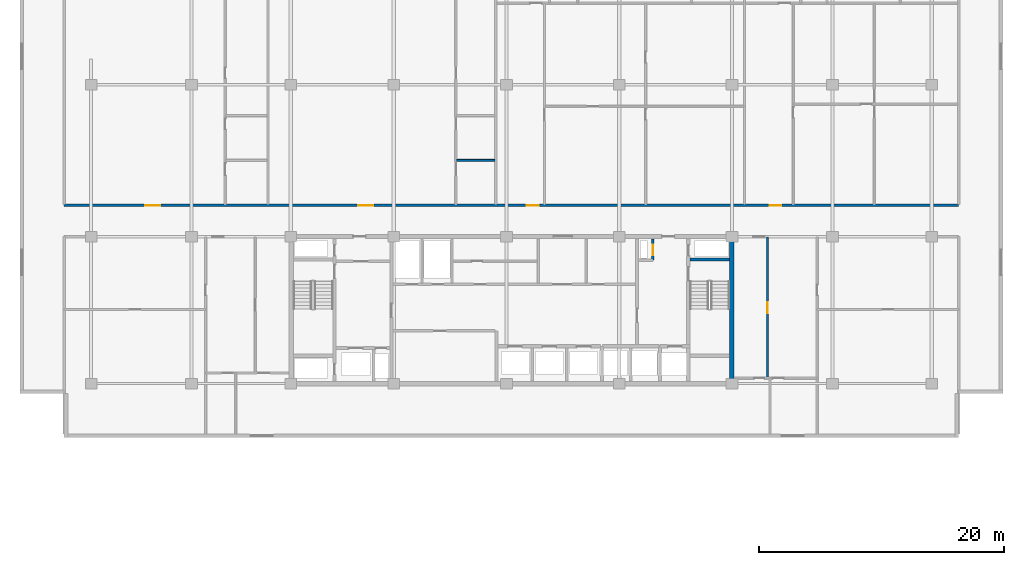
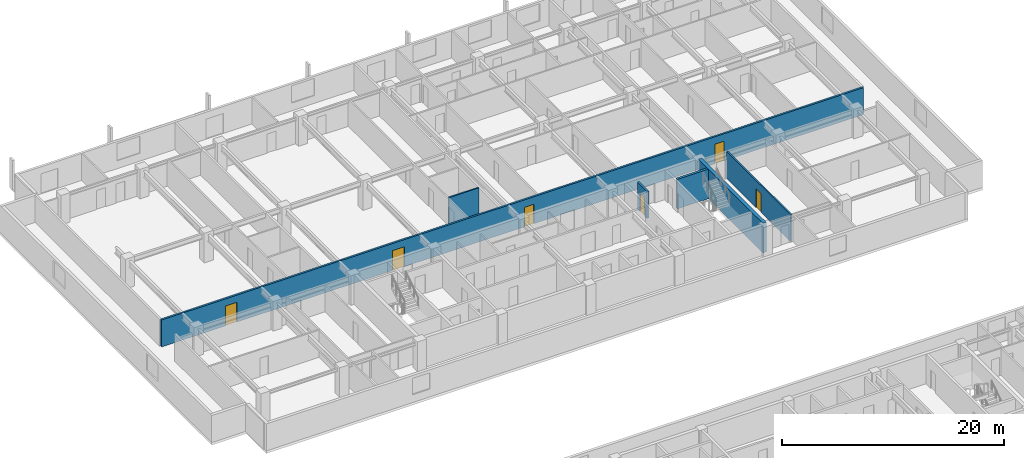
# One storey, part 13 of 22: 6 doors, 6 walls, 6 openings.
"""IFC4 building model written with IfcOpenShell, lengths in metres."""

import ifcopenshell
import ifcopenshell.guid

model = None  # the IFC model being written
_history = None  # IfcOwnerHistory: only IFC2X3 demands one
_inside = {}  # id of a spatial element -> (the spatial element, [elements in it])
_under = {}  # id of a project, library or spatial element -> (it, [spatial elements below it])
_declared = {}  # id of a project -> (the project, [libraries it declares])
_typed = {}  # id of a type object -> (the type object, [elements of that type])
_made_of = {}  # id of a material, layer set ... -> (it, [elements and type objects made of it])


def new_model(schema):
    """Start an empty IFC model of exactly this schema.

    Asked for "IFC4X3", IfcOpenShell would pick the latest addendum, in which some entities
    have other attributes; the version numbers below select the first issue.
    IFC2X3 requires an IfcOwnerHistory on every rooted entity: one is made here for all.
    """
    global model, _history
    if schema == "IFC4X3":
        model = ifcopenshell.file(schema_version=(4, 3, 0, 0))
    else:
        model = ifcopenshell.file(schema=schema)
    _inside.clear()
    _under.clear()
    _declared.clear()
    _typed.clear()
    _made_of.clear()
    _history = None
    if model.schema == "IFC2X3":
        org = make("IfcOrganization", Name="unknown")
        user = make(
            "IfcPersonAndOrganization",
            ThePerson=make("IfcPerson", FamilyName="unknown"),
            TheOrganization=org,
        )
        app = make(
            "IfcApplication",
            ApplicationDeveloper=org,
            Version="unknown",
            ApplicationFullName="unknown",
            ApplicationIdentifier="unknown",
        )
        _history = make(
            "IfcOwnerHistory",
            OwningUser=user,
            OwningApplication=app,
            ChangeAction="ADDED",
            CreationDate=0,
        )
    return model


def make(cls, **values):
    """One entity of the class cls with the attributes given. An attribute that is None is left unset."""
    return model.create_entity(
        cls, **{name: value for name, value in values.items() if value is not None}
    )


def rooted(cls, **values):
    """An entity with a GlobalId (a new one), such as an element, a storey or a relation."""
    return make(cls, GlobalId=ifcopenshell.guid.new(), OwnerHistory=_history, **values)


def si_unit(unit_type, name, prefix=None):
    """IfcSIUnit, for example si_unit("LENGTHUNIT", "METRE", prefix="MILLI")."""
    return make("IfcSIUnit", UnitType=unit_type, Prefix=prefix, Name=name)


def assignment(units):
    """IfcUnitAssignment: the units of a project."""
    return None if units is None else make("IfcUnitAssignment", Units=units)


def point(xyz):
    """IfcCartesianPoint."""
    return None if xyz is None else make("IfcCartesianPoint", Coordinates=xyz)


def direction(xyz):
    """IfcDirection."""
    return None if xyz is None else make("IfcDirection", DirectionRatios=xyz)


def frame(location, z_axis=None, x_axis=None):
    """IfcAxis2Placement3D, a coordinate frame: its origin and axes. An axis left out is left unset."""
    return make(
        "IfcAxis2Placement3D",
        Location=point(location),
        Axis=direction(z_axis),
        RefDirection=direction(x_axis),
    )


def frame_2d(location, x_axis=None):
    """IfcAxis2Placement2D, a coordinate frame in the plane: its origin and x axis."""
    return make(
        "IfcAxis2Placement2D", Location=point(location), RefDirection=direction(x_axis)
    )


def origin():
    """The frame at (0, 0, 0) with its axes left unset."""
    return frame((0.0, 0.0, 0.0))


def place(relative_to, where):
    """IfcLocalPlacement: puts the frame where relative to a parent placement (None: the world)."""
    return make(
        "IfcLocalPlacement", PlacementRelTo=relative_to, RelativePlacement=where
    )


def context(
    kind, dimensions, precision=None, world=None, true_north=None, identifier=None
):
    """IfcGeometricRepresentationContext, for example the 3D "Model" context."""
    return make(
        "IfcGeometricRepresentationContext",
        ContextIdentifier=identifier,
        ContextType=kind,
        CoordinateSpaceDimension=dimensions,
        Precision=precision,
        WorldCoordinateSystem=world,
        TrueNorth=true_north,
    )


def subcontext(parent, identifier, kind, view, scale=None):
    """IfcGeometricRepresentationSubContext, for example "Body" below "Model"."""
    return make(
        "IfcGeometricRepresentationSubContext",
        ContextIdentifier=identifier,
        ContextType=kind,
        ParentContext=parent,
        TargetScale=scale,
        TargetView=view,
    )


def project(units=None, contexts=None):
    """IfcProject with its units and contexts."""
    return rooted(
        "IfcProject",
        Name="project",
        RepresentationContexts=contexts,
        UnitsInContext=assignment(units),
    )


def spatial(cls, under=None, at=None, **own):
    """A site, building, storey or space (cls), placed at a placement, below another one or the project."""
    s = rooted(cls, ObjectPlacement=at, **own)
    if under is not None:
        _under.setdefault(under.id(), (under, []))[1].append(s)
    return s


def profile(cls, at=None, kind="AREA", **sizes):
    """A parametric profile (cls). Its sizes go by their IFC names, for example OverallWidth=200.0."""
    return make(cls, ProfileType=kind, Position=at, **sizes)


def rectangle(**sizes):
    """IfcRectangleProfileDef."""
    return profile("IfcRectangleProfileDef", **sizes)


def extrude(swept, where, along, depth):
    """IfcExtrudedAreaSolid: the profile swept, set in the frame where, extruded along a direction by depth."""
    return make(
        "IfcExtrudedAreaSolid",
        SweptArea=swept,
        Position=where,
        ExtrudedDirection=direction(along),
        Depth=depth,
    )


def shape(context_of_items, identifier, shape_type, items):
    """IfcShapeRepresentation: the items that make up one representation, for example the "Body"."""
    return make(
        "IfcShapeRepresentation",
        ContextOfItems=context_of_items,
        RepresentationIdentifier=identifier,
        RepresentationType=shape_type,
        Items=items,
    )


def material(Name=None, Category=None):
    """IfcMaterial."""
    return make("IfcMaterial", Name=Name, Category=Category)


def layer(
    of_material, thickness, ventilated=None, Name=None, Category=None, Priority=None
):
    """IfcMaterialLayer: one layer of a wall or slab, of a material (None: an air gap)."""
    return make(
        "IfcMaterialLayer",
        Material=of_material,
        LayerThickness=thickness,
        IsVentilated=ventilated,
        Name=Name,
        Category=Category,
        Priority=Priority,
    )


def layer_set(layers, Name=None):
    """IfcMaterialLayerSet."""
    return make("IfcMaterialLayerSet", MaterialLayers=layers, LayerSetName=Name)


def made_of(thing, what):
    """Note that an element or type object is made of a material, layer set ...; save() writes the relation."""
    if what is not None:
        _made_of.setdefault(what.id(), (what, []))[1].append(thing)
    return thing


def type_object(cls, material=None, **own):
    """A type object (cls), such as IfcWallType, which elements share."""
    return made_of(rooted(cls, **own), material)


def element(
    cls,
    number,
    at=None,
    inside=None,
    cuts=None,
    type_object=None,
    material=None,
    context=None,
    identifier="Body",
    shape_type=None,
    held_by="IfcProductDefinitionShape",
    body=None,
    shapes=None,
    **own,
):
    """One element of the class cls, such as IfcWall. Its Tag is "e" and its number.

    at: its placement. inside: the storey or other place that contains it. cuts: it is an
    opening in that element (IfcRelVoidsElement). A single representation is given by context,
    identifier, shape_type and body (its items); several are given by shapes. held_by: the class
    of the entity that holds the representations. save() writes the other relations.
    """
    e = rooted(cls, Tag="e%d" % number, ObjectPlacement=at, **own)
    if body is not None:
        shapes = [shape(context, identifier, shape_type, body)]
    if shapes is not None:
        e.Representation = make(held_by, Representations=shapes)
    if inside is not None:
        _inside.setdefault(inside.id(), (inside, []))[1].append(e)
    if cuts is not None:
        rooted(
            "IfcRelVoidsElement", RelatingBuildingElement=cuts, RelatedOpeningElement=e
        )
    if type_object is not None:
        _typed.setdefault(type_object.id(), (type_object, []))[1].append(e)
    return made_of(e, material)


def fill(opening, filler):
    """IfcRelFillsElement: the door or window that sits in an opening."""
    return rooted(
        "IfcRelFillsElement",
        RelatingOpeningElement=opening,
        RelatedBuildingElement=filler,
    )


def aggregate(whole, parts):
    """IfcRelAggregates: a whole, such as a stair, and the parts it consists of."""
    return rooted("IfcRelAggregates", RelatingObject=whole, RelatedObjects=parts)


def save(model, path):
    """Write the relations noted so far, then the file.

    IfcRelAggregates (storeys below a building ...), IfcRelContainedInSpatialStructure (elements
    in a storey), IfcRelDefinesByType, IfcRelAssociatesMaterial and IfcRelDeclares: one each for
    every whole, place, type object, material and project.
    """
    for whole, parts in _under.values():
        aggregate(whole, parts)
    for where, things in _inside.values():
        rooted(
            "IfcRelContainedInSpatialStructure",
            RelatedElements=things,
            RelatingStructure=where,
        )
    for kind, things in _typed.values():
        rooted("IfcRelDefinesByType", RelatedObjects=things, RelatingType=kind)
    for what, things in _made_of.values():
        rooted("IfcRelAssociatesMaterial", RelatedObjects=things, RelatingMaterial=what)
    for by, libraries in _declared.values():
        rooted("IfcRelDeclares", RelatingContext=by, RelatedDefinitions=libraries)
    model.write(path)


model = new_model("IFC4")

# Units and contexts
model_context = context("Model", 3, precision=1e-05, world=origin(), true_north=direction((0.0, 1.0)))
body_context = subcontext(model_context, "Body", "Model", "MODEL_VIEW")
ifc_project = project(units=[si_unit("LENGTHUNIT", "METRE"), si_unit("AREAUNIT", "SQUARE_METRE"), si_unit("VOLUMEUNIT", "CUBIC_METRE"), si_unit("PLANEANGLEUNIT", "RADIAN"), si_unit("MASSUNIT", "GRAM", prefix="KILO")], contexts=[model_context])

# Site, building, storey
site_placement = place(None, origin())
site = spatial("IfcSite", under=ifc_project, at=site_placement, CompositionType="ELEMENT")
building_placement = place(site_placement, origin())
building = spatial("IfcBuilding", under=site, at=building_placement, Name="Korimba Cascade Residences", CompositionType="ELEMENT")
storey_placement = place(building_placement, frame((0.0, 0.0, 132.800048828125)))
storey = spatial("IfcBuildingStorey", under=building, at=storey_placement, Name="L38", CompositionType="ELEMENT", Elevation=132.800048828125)

# Wall
ifc_material_1 = material(Name="Concrete C65/80", Category="concrete")
ifc_layer_1 = layer(ifc_material_1, 0.35009765625)
ifc_layer_set_1 = layer_set([ifc_layer_1], Name="Concrete C65/80")
wall_type_1 = type_object("IfcWallType", Name="WAL-CORE-350", PredefinedType="SHEAR", material=ifc_layer_set_1)
wall_1_placement = place(storey_placement, frame((112.074951171875, 55.375, 0.0), z_axis=(0.0, 0.0, 1.0), x_axis=(0.0, 1.0, 0.0)))
element("IfcWall", 1, at=wall_1_placement, inside=storey, type_object=wall_type_1, Name="L38 Core Shear Wall CW-L38-T1-E", PredefinedType="SHEAR", context=body_context, shape_type="SweptSolid", body=[
    extrude(rectangle(XDim=11.64990234375, YDim=0.35009765625, at=frame_2d((5.824951171875, 0.0))), origin(), (0.0, 0.0, 1.0), 3.25),
])

# Wall, openings, doors
ifc_material_2 = material(Name="Precast concrete C40/50", Category="concrete")
ifc_layer_2 = layer(ifc_material_2, 0.199951171875)
ifc_layer_set_2 = layer_set([ifc_layer_2], Name="Precast concrete C40/50")
wall_type_2 = type_object("IfcWallType", Name="WAL-IT-200", PredefinedType="PARTITIONING", material=ifc_layer_set_2)
wall_2_placement = place(storey_placement, frame((57.60009765625, 69.75, 0.0), z_axis=(0.0, 0.0, 1.0), x_axis=(1.0, 0.0, 0.0)))
wall_2 = element("IfcWall", 2, at=wall_2_placement, inside=storey, type_object=wall_type_2, Name="L38 Partition Wall WAL-L38-T1-CORN", PredefinedType="PARTITIONING", context=body_context, shape_type="SweptSolid", body=[
    extrude(rectangle(XDim=73.0, YDim=0.199951171875, at=frame_2d((36.5, 0.0))), origin(), (0.0, 0.0, 1.0), 2.969970703125),
])
opening_1_placement = place(wall_2_placement, frame((6.628662109375, 0.0, 0.0)))
opening_1 = element("IfcOpeningElement", 3, at=opening_1_placement, cuts=wall_2, Name="Opening D-AM1", PredefinedType="OPENING", context=body_context, shape_type="SweptSolid", body=[
    extrude(rectangle(XDim=1.219970703125, YDim=2.179931640625, at=frame_2d((0.60986328125, 1.08984375))), frame((0.0, 0.10986328125, 0.0), z_axis=(0.0, -1.0, 0.0), x_axis=(1.0, 0.0, 0.0)), (0.0, 0.0, 1.0), 0.219970703125),
])
opening_2_placement = place(wall_2_placement, frame((24.022216796875, 0.0, 0.0)))
opening_2 = element("IfcOpeningElement", 4, at=opening_2_placement, cuts=wall_2, Name="Opening D-AM1", PredefinedType="OPENING", context=body_context, shape_type="SweptSolid", body=[
    extrude(rectangle(XDim=1.219970703125, YDim=2.179931640625, at=frame_2d((0.60986328125, 1.08984375))), frame((0.0, 0.10986328125, 0.0), z_axis=(0.0, -1.0, 0.0), x_axis=(1.0, 0.0, 0.0)), (0.0, 0.0, 1.0), 0.219970703125),
])
opening_3_placement = place(wall_2_placement, frame((37.767578125, 0.0, 0.0)))
opening_3 = element("IfcOpeningElement", 5, at=opening_3_placement, cuts=wall_2, Name="Opening D-UN1", PredefinedType="OPENING", context=body_context, shape_type="SweptSolid", body=[
    extrude(rectangle(XDim=0.949951171875, YDim=2.14990234375, at=frame_2d((0.47509765625, 1.074951171875))), frame((0.0, 0.10986328125, 0.0), z_axis=(0.0, -1.0, 0.0), x_axis=(1.0, 0.0, 0.0)), (0.0, 0.0, 1.0), 0.219970703125),
])
opening_4_placement = place(wall_2_placement, frame((57.570068359375, 0.0, 0.0)))
opening_4 = element("IfcOpeningElement", 6, at=opening_4_placement, cuts=wall_2, Name="Opening D-UN1", PredefinedType="OPENING", context=body_context, shape_type="SweptSolid", body=[
    extrude(rectangle(XDim=0.949951171875, YDim=2.14990234375, at=frame_2d((0.47509765625, 1.074951171875))), frame((0.0, 0.10986328125, 0.0), z_axis=(0.0, -1.0, 0.0), x_axis=(1.0, 0.0, 0.0)), (0.0, 0.0, 1.0), 0.219970703125),
])
ifc_material_3 = material(Name="Fire-Rated Glazed Timber Suite Door", Category="wood")
door_type_1 = type_object("IfcDoorType", Name="DR-FD60-1200", OperationType="NOTDEFINED", PredefinedType="DOOR", material=ifc_material_3)
door_1_placement = place(opening_1_placement, origin())
door_1 = element("IfcDoor", 7, at=door_1_placement, inside=storey, type_object=door_type_1, Name="L38-T1-U01 Business Collaboration Office Door", OperationType="SINGLE_SWING_RIGHT", OverallHeight=2.179931640625, OverallWidth=1.219970703125, PredefinedType="DOOR", context=body_context, shape_type="SweptSolid", body=[
    extrude(rectangle(XDim=1.219970703125, YDim=2.179931640625, at=frame_2d((0.60986328125, 1.08984375))), frame((0.0, 0.02490234375, 0.0), z_axis=(0.0, -1.0, 0.0), x_axis=(1.0, 0.0, 0.0)), (0.0, 0.0, 1.0), 0.050048828125),
])
fill(opening_1, door_1)
door_2_placement = place(opening_2_placement, origin())
door_2 = element("IfcDoor", 8, at=door_2_placement, inside=storey, type_object=door_type_1, Name="L38-T1-U02 Resident Conference Room Door", OperationType="SINGLE_SWING_LEFT", OverallHeight=2.179931640625, OverallWidth=1.219970703125, PredefinedType="DOOR", context=body_context, shape_type="SweptSolid", body=[
    extrude(rectangle(XDim=1.219970703125, YDim=2.179931640625, at=frame_2d((0.60986328125, 1.08984375))), frame((0.0, 0.02490234375, 0.0), z_axis=(0.0, -1.0, 0.0), x_axis=(1.0, 0.0, 0.0)), (0.0, 0.0, 1.0), 0.050048828125),
])
fill(opening_2, door_2)
ifc_material_4 = material(Name="Fire-Rated Hardwood Apartment Entrance Door", Category="wood")
door_type_2 = type_object("IfcDoorType", Name="DR-FD60-950", OperationType="NOTDEFINED", PredefinedType="DOOR", material=ifc_material_4)
door_3_placement = place(opening_3_placement, origin())
door_3 = element("IfcDoor", 9, at=door_3_placement, inside=storey, type_object=door_type_2, Name="Unit L38-T1-U03 Entrance Door", OperationType="SINGLE_SWING_RIGHT", OverallHeight=2.14990234375, OverallWidth=0.949951171875, PredefinedType="DOOR", context=body_context, shape_type="SweptSolid", body=[
    extrude(rectangle(XDim=0.949951171875, YDim=2.14990234375, at=frame_2d((0.47509765625, 1.074951171875))), frame((0.0, 0.02490234375, 0.0), z_axis=(0.0, -1.0, 0.0), x_axis=(1.0, 0.0, 0.0)), (0.0, 0.0, 1.0), 0.050048828125),
])
fill(opening_3, door_3)
door_4_placement = place(opening_4_placement, origin())
door_4 = element("IfcDoor", 10, at=door_4_placement, inside=storey, type_object=door_type_2, Name="Unit L38-T1-U04 Entrance Door", OperationType="SINGLE_SWING_LEFT", OverallHeight=2.14990234375, OverallWidth=0.949951171875, PredefinedType="DOOR", context=body_context, shape_type="SweptSolid", body=[
    extrude(rectangle(XDim=0.949951171875, YDim=2.14990234375, at=frame_2d((0.47509765625, 1.074951171875))), frame((0.0, 0.02490234375, 0.0), z_axis=(0.0, -1.0, 0.0), x_axis=(1.0, 0.0, 0.0)), (0.0, 0.0, 1.0), 0.050048828125),
])
fill(opening_4, door_4)

# Wall, opening, door
ifc_material_5 = material(Name="Insulated Acoustic Stud Partition", Category="gypsum")
ifc_layer_3 = layer(ifc_material_5, 0.14990234375)
ifc_layer_set_3 = layer_set([ifc_layer_3], Name="Insulated Acoustic Stud Partition")
wall_type_3 = type_object("IfcWallType", Name="WAL-PART-150", PredefinedType="PARTITIONING", material=ifc_layer_set_3)
wall_3_placement = place(storey_placement, frame((115.0, 55.64990234375, 0.0), z_axis=(0.0, 0.0, 1.0), x_axis=(0.0, 1.0, 0.0)))
wall_3 = element("IfcWall", 11, at=wall_3_placement, inside=storey, type_object=wall_type_3, Name="L38 Partition Wall WAL-L38-T1-FE-VN", PredefinedType="PARTITIONING", context=body_context, shape_type="SweptSolid", body=[
    extrude(rectangle(XDim=11.5, YDim=0.14990234375, at=frame_2d((5.75, 0.0))), origin(), (0.0, 0.0, 1.0), 2.969970703125),
])
opening_5_placement = place(wall_3_placement, frame((5.2900390625, 0.0, 0.0)))
opening_5 = element("IfcOpeningElement", 12, at=opening_5_placement, cuts=wall_3, Name="Opening D-IN1", PredefinedType="OPENING", context=body_context, shape_type="SweptSolid", body=[
    extrude(rectangle(XDim=0.919921875, YDim=2.080078125, at=frame_2d((0.4599609375, 1.0400390625))), frame((0.0, 0.0849609375, 0.0), z_axis=(0.0, -1.0, 0.0), x_axis=(1.0, 0.0, 0.0)), (0.0, 0.0, 1.0), 0.169921875),
])
ifc_material_6 = material(Name="Acoustic Timber Living Door", Category="wood")
door_type_3 = type_object("IfcDoorType", Name="DR-INT-920", OperationType="NOTDEFINED", PredefinedType="DOOR", material=ifc_material_6)
door_5_placement = place(opening_5_placement, origin())
door_5 = element("IfcDoor", 13, at=door_5_placement, inside=storey, type_object=door_type_3, Name="L38-T1-FE Living Door", OperationType="SINGLE_SWING_RIGHT", OverallHeight=2.080078125, OverallWidth=0.919921875, PredefinedType="DOOR", context=body_context, shape_type="SweptSolid", body=[
    extrude(rectangle(XDim=0.919921875, YDim=2.080078125, at=frame_2d((0.4599609375, 1.0400390625))), frame((0.0, 0.02490234375, 0.0), z_axis=(0.0, -1.0, 0.0), x_axis=(1.0, 0.0, 0.0)), (0.0, 0.0, 1.0), 0.050048828125),
])
fill(opening_5, door_5)

# Wall
wall_4_placement = place(storey_placement, frame((89.62744140625, 73.419921875, 0.0), z_axis=(0.0, 0.0, 1.0), x_axis=(1.0, 0.0, 0.0)))
element("IfcWall", 14, at=wall_4_placement, inside=storey, type_object=wall_type_3, Name="L38 Partition Wall WAL-L38-T1-U02-WCH", PredefinedType="PARTITIONING", context=body_context, shape_type="SweptSolid", body=[
    extrude(rectangle(XDim=3.130126953125, YDim=0.14990234375, at=frame_2d((1.56494140625, 0.0))), origin(), (0.0, 0.0, 1.0), 2.969970703125),
])

# Wall, opening, door
ifc_material_7 = material(Name="Concrete C40/50", Category="concrete")
ifc_layer_4 = layer(ifc_material_7, 0.199951171875)
ifc_layer_set_4 = layer_set([ifc_layer_4], Name="Concrete C40/50")
wall_type_4 = type_object("IfcWallType", Name="WAL-PART-200", PredefinedType="PARTITIONING", material=ifc_layer_set_4)
wall_5_placement = place(storey_placement, frame((105.64990234375, 65.280029296875, 0.0), z_axis=(0.0, 0.0, 1.0), x_axis=(0.0, 1.0, 0.0)))
wall_5 = element("IfcWall", 15, at=wall_5_placement, inside=storey, type_object=wall_type_4, Name="L38 Partition Wall CW-L38-T1-HYDW2E", PredefinedType="PARTITIONING", context=body_context, shape_type="SweptSolid", body=[
    extrude(rectangle(XDim=1.719970703125, YDim=0.199951171875, at=frame_2d((0.85986328125, 0.0))), origin(), (0.0, 0.0, 1.0), 2.969970703125),
])
opening_6_placement = place(wall_5_placement, frame((0.39990234375, 0.0, 0.0)))
opening_6 = element("IfcOpeningElement", 16, at=opening_6_placement, cuts=wall_5, Name="Opening D-RS1", PredefinedType="OPENING", context=body_context, shape_type="SweptSolid", body=[
    extrude(rectangle(XDim=0.85009765625, YDim=2.050048828125, at=frame_2d((0.425048828125, 1.02490234375))), frame((0.0, 0.10986328125, 0.0), z_axis=(0.0, -1.0, 0.0), x_axis=(1.0, 0.0, 0.0)), (0.0, 0.0, 1.0), 0.219970703125),
])
ifc_material_8 = material(Name="Fire-Rated Steel Riser Access Door", Category="steel")
door_type_4 = type_object("IfcDoorType", Name="DR-FD60-850", OperationType="NOTDEFINED", PredefinedType="DOOR", material=ifc_material_8)
door_6_placement = place(opening_6_placement, origin())
door_6 = element("IfcDoor", 17, at=door_6_placement, inside=storey, type_object=door_type_4, Name="L38 East Hydrant Door", OperationType="SINGLE_SWING_RIGHT", OverallHeight=2.050048828125, OverallWidth=0.85009765625, PredefinedType="DOOR", context=body_context, shape_type="SweptSolid", body=[
    extrude(rectangle(XDim=0.85009765625, YDim=2.050048828125, at=frame_2d((0.425048828125, 1.02490234375))), frame((0.0, 0.02490234375, 0.0), z_axis=(0.0, -1.0, 0.0), x_axis=(1.0, 0.0, 0.0)), (0.0, 0.0, 1.0), 0.050048828125),
])
fill(opening_6, door_6)

# Wall
ifc_material_9 = material(Name="Concrete C50/60", Category="concrete")
ifc_layer_5 = layer(ifc_material_9, 0.25)
ifc_layer_set_5 = layer_set([ifc_layer_5], Name="Concrete C50/60")
wall_type_5 = type_object("IfcWallType", Name="WAL-SHAFT-250", PredefinedType="SHEAR", material=ifc_layer_set_5)
wall_6_placement = place(storey_placement, frame((108.659912109375, 65.324951171875, 0.0), z_axis=(0.0, 0.0, 1.0), x_axis=(1.0, 0.0, 0.0)))
element("IfcWall", 18, at=wall_6_placement, inside=storey, type_object=wall_type_5, Name="L38 Core Shear Wall CW-L38-T1-STW2N", PredefinedType="SHEAR", context=body_context, shape_type="SweptSolid", body=[
    extrude(rectangle(XDim=3.239990234375, YDim=0.25, at=frame_2d((1.6201171875, 0.0))), origin(), (0.0, 0.0, 1.0), 3.25),
])

save(model, "model.ifc")
